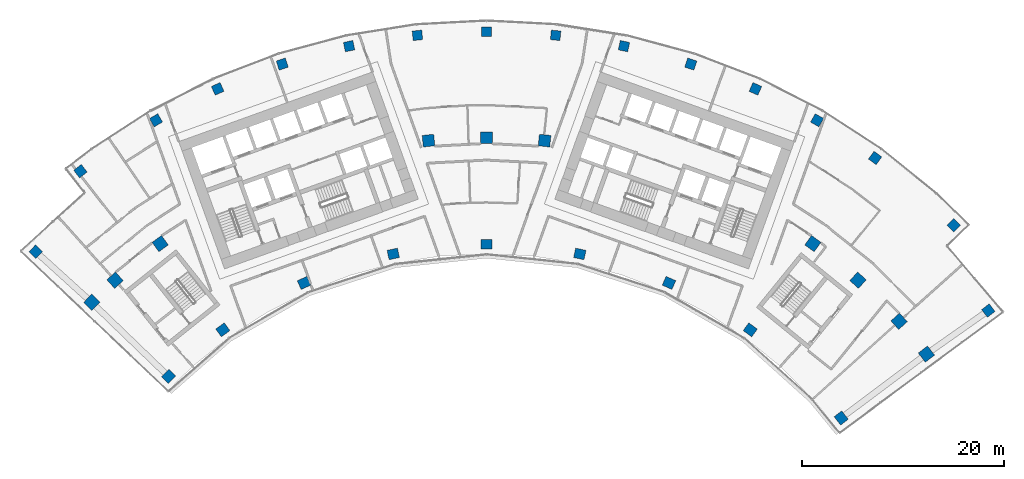
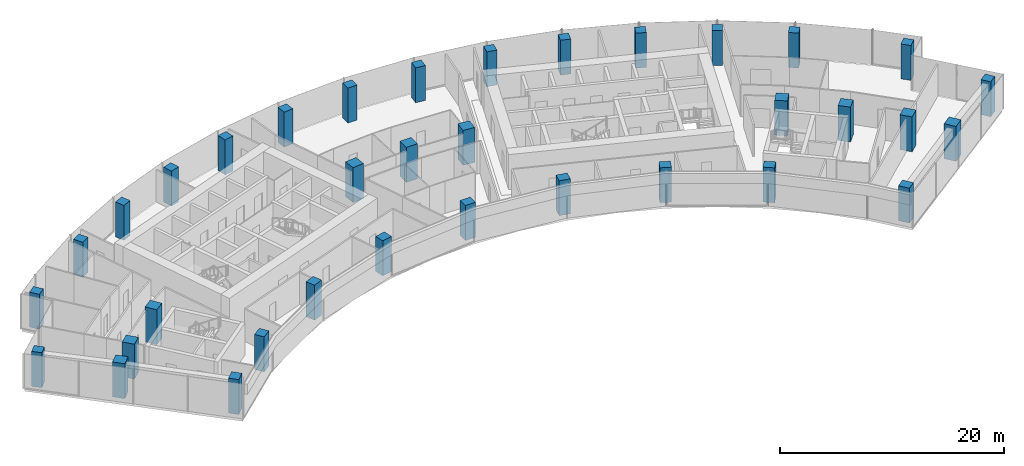
# One storey, part 1 of 19: 35 columns.
"""IFC4 building model written with IfcOpenShell, lengths in metres."""

import ifcopenshell
import ifcopenshell.guid

model = None  # the IFC model being written
_history = None  # IfcOwnerHistory: only IFC2X3 demands one
_inside = {}  # id of a spatial element -> (the spatial element, [elements in it])
_under = {}  # id of a project, library or spatial element -> (it, [spatial elements below it])
_declared = {}  # id of a project -> (the project, [libraries it declares])
_typed = {}  # id of a type object -> (the type object, [elements of that type])
_made_of = {}  # id of a material, layer set ... -> (it, [elements and type objects made of it])


def new_model(schema):
    """Start an empty IFC model of exactly this schema.

    Asked for "IFC4X3", IfcOpenShell would pick the latest addendum, in which some entities
    have other attributes; the version numbers below select the first issue.
    IFC2X3 requires an IfcOwnerHistory on every rooted entity: one is made here for all.
    """
    global model, _history
    if schema == "IFC4X3":
        model = ifcopenshell.file(schema_version=(4, 3, 0, 0))
    else:
        model = ifcopenshell.file(schema=schema)
    _inside.clear()
    _under.clear()
    _declared.clear()
    _typed.clear()
    _made_of.clear()
    _history = None
    if model.schema == "IFC2X3":
        org = make("IfcOrganization", Name="unknown")
        user = make(
            "IfcPersonAndOrganization",
            ThePerson=make("IfcPerson", FamilyName="unknown"),
            TheOrganization=org,
        )
        app = make(
            "IfcApplication",
            ApplicationDeveloper=org,
            Version="unknown",
            ApplicationFullName="unknown",
            ApplicationIdentifier="unknown",
        )
        _history = make(
            "IfcOwnerHistory",
            OwningUser=user,
            OwningApplication=app,
            ChangeAction="ADDED",
            CreationDate=0,
        )
    return model


def make(cls, **values):
    """One entity of the class cls with the attributes given. An attribute that is None is left unset."""
    return model.create_entity(
        cls, **{name: value for name, value in values.items() if value is not None}
    )


def rooted(cls, **values):
    """An entity with a GlobalId (a new one), such as an element, a storey or a relation."""
    return make(cls, GlobalId=ifcopenshell.guid.new(), OwnerHistory=_history, **values)


def si_unit(unit_type, name, prefix=None):
    """IfcSIUnit, for example si_unit("LENGTHUNIT", "METRE", prefix="MILLI")."""
    return make("IfcSIUnit", UnitType=unit_type, Prefix=prefix, Name=name)


def assignment(units):
    """IfcUnitAssignment: the units of a project."""
    return None if units is None else make("IfcUnitAssignment", Units=units)


def point(xyz):
    """IfcCartesianPoint."""
    return None if xyz is None else make("IfcCartesianPoint", Coordinates=xyz)


def direction(xyz):
    """IfcDirection."""
    return None if xyz is None else make("IfcDirection", DirectionRatios=xyz)


def frame(location, z_axis=None, x_axis=None):
    """IfcAxis2Placement3D, a coordinate frame: its origin and axes. An axis left out is left unset."""
    return make(
        "IfcAxis2Placement3D",
        Location=point(location),
        Axis=direction(z_axis),
        RefDirection=direction(x_axis),
    )


def frame_2d(location, x_axis=None):
    """IfcAxis2Placement2D, a coordinate frame in the plane: its origin and x axis."""
    return make(
        "IfcAxis2Placement2D", Location=point(location), RefDirection=direction(x_axis)
    )


def origin():
    """The frame at (0, 0, 0) with its axes left unset."""
    return frame((0.0, 0.0, 0.0))


def origin_2d():
    """The frame at (0, 0) in the plane with its x axis left unset."""
    return frame_2d((0.0, 0.0))


def place(relative_to, where):
    """IfcLocalPlacement: puts the frame where relative to a parent placement (None: the world)."""
    return make(
        "IfcLocalPlacement", PlacementRelTo=relative_to, RelativePlacement=where
    )


def context(
    kind, dimensions, precision=None, world=None, true_north=None, identifier=None
):
    """IfcGeometricRepresentationContext, for example the 3D "Model" context."""
    return make(
        "IfcGeometricRepresentationContext",
        ContextIdentifier=identifier,
        ContextType=kind,
        CoordinateSpaceDimension=dimensions,
        Precision=precision,
        WorldCoordinateSystem=world,
        TrueNorth=true_north,
    )


def subcontext(parent, identifier, kind, view, scale=None):
    """IfcGeometricRepresentationSubContext, for example "Body" below "Model"."""
    return make(
        "IfcGeometricRepresentationSubContext",
        ContextIdentifier=identifier,
        ContextType=kind,
        ParentContext=parent,
        TargetScale=scale,
        TargetView=view,
    )


def project(units=None, contexts=None):
    """IfcProject with its units and contexts."""
    return rooted(
        "IfcProject",
        Name="project",
        RepresentationContexts=contexts,
        UnitsInContext=assignment(units),
    )


def spatial(cls, under=None, at=None, **own):
    """A site, building, storey or space (cls), placed at a placement, below another one or the project."""
    s = rooted(cls, ObjectPlacement=at, **own)
    if under is not None:
        _under.setdefault(under.id(), (under, []))[1].append(s)
    return s


def profile(cls, at=None, kind="AREA", **sizes):
    """A parametric profile (cls). Its sizes go by their IFC names, for example OverallWidth=200.0."""
    return make(cls, ProfileType=kind, Position=at, **sizes)


def rectangle(**sizes):
    """IfcRectangleProfileDef."""
    return profile("IfcRectangleProfileDef", **sizes)


def extrude(swept, where, along, depth):
    """IfcExtrudedAreaSolid: the profile swept, set in the frame where, extruded along a direction by depth."""
    return make(
        "IfcExtrudedAreaSolid",
        SweptArea=swept,
        Position=where,
        ExtrudedDirection=direction(along),
        Depth=depth,
    )


def shape(context_of_items, identifier, shape_type, items):
    """IfcShapeRepresentation: the items that make up one representation, for example the "Body"."""
    return make(
        "IfcShapeRepresentation",
        ContextOfItems=context_of_items,
        RepresentationIdentifier=identifier,
        RepresentationType=shape_type,
        Items=items,
    )


def material(Name=None, Category=None):
    """IfcMaterial."""
    return make("IfcMaterial", Name=Name, Category=Category)


def material_profile(
    of_material, cross_section, Name=None, Category=None, Priority=None
):
    """IfcMaterialProfile: a cross section and its material."""
    return make(
        "IfcMaterialProfile",
        Name=Name,
        Material=of_material,
        Profile=cross_section,
        Priority=Priority,
        Category=Category,
    )


def profile_set(profiles, Name=None, composite=None):
    """IfcMaterialProfileSet."""
    return make(
        "IfcMaterialProfileSet",
        Name=Name,
        MaterialProfiles=profiles,
        CompositeProfile=composite,
    )


def made_of(thing, what):
    """Note that an element or type object is made of a material, layer set ...; save() writes the relation."""
    if what is not None:
        _made_of.setdefault(what.id(), (what, []))[1].append(thing)
    return thing


def type_object(cls, material=None, **own):
    """A type object (cls), such as IfcWallType, which elements share."""
    return made_of(rooted(cls, **own), material)


def element(
    cls,
    number,
    at=None,
    inside=None,
    cuts=None,
    type_object=None,
    material=None,
    context=None,
    identifier="Body",
    shape_type=None,
    held_by="IfcProductDefinitionShape",
    body=None,
    shapes=None,
    **own,
):
    """One element of the class cls, such as IfcWall. Its Tag is "e" and its number.

    at: its placement. inside: the storey or other place that contains it. cuts: it is an
    opening in that element (IfcRelVoidsElement). A single representation is given by context,
    identifier, shape_type and body (its items); several are given by shapes. held_by: the class
    of the entity that holds the representations. save() writes the other relations.
    """
    e = rooted(cls, Tag="e%d" % number, ObjectPlacement=at, **own)
    if body is not None:
        shapes = [shape(context, identifier, shape_type, body)]
    if shapes is not None:
        e.Representation = make(held_by, Representations=shapes)
    if inside is not None:
        _inside.setdefault(inside.id(), (inside, []))[1].append(e)
    if cuts is not None:
        rooted(
            "IfcRelVoidsElement", RelatingBuildingElement=cuts, RelatedOpeningElement=e
        )
    if type_object is not None:
        _typed.setdefault(type_object.id(), (type_object, []))[1].append(e)
    return made_of(e, material)


def aggregate(whole, parts):
    """IfcRelAggregates: a whole, such as a stair, and the parts it consists of."""
    return rooted("IfcRelAggregates", RelatingObject=whole, RelatedObjects=parts)


def save(model, path):
    """Write the relations noted so far, then the file.

    IfcRelAggregates (storeys below a building ...), IfcRelContainedInSpatialStructure (elements
    in a storey), IfcRelDefinesByType, IfcRelAssociatesMaterial and IfcRelDeclares: one each for
    every whole, place, type object, material and project.
    """
    for whole, parts in _under.values():
        aggregate(whole, parts)
    for where, things in _inside.values():
        rooted(
            "IfcRelContainedInSpatialStructure",
            RelatedElements=things,
            RelatingStructure=where,
        )
    for kind, things in _typed.values():
        rooted("IfcRelDefinesByType", RelatedObjects=things, RelatingType=kind)
    for what, things in _made_of.values():
        rooted("IfcRelAssociatesMaterial", RelatedObjects=things, RelatingMaterial=what)
    for by, libraries in _declared.values():
        rooted("IfcRelDeclares", RelatingContext=by, RelatedDefinitions=libraries)
    model.write(path)


model = new_model("IFC4")

# Units and contexts
model_context = context("Model", 3, precision=1e-05, world=origin(), true_north=direction((0.0, 1.0)))
body_context = subcontext(model_context, "Body", "Model", "MODEL_VIEW")
ifc_project = project(units=[si_unit("LENGTHUNIT", "METRE"), si_unit("AREAUNIT", "SQUARE_METRE"), si_unit("VOLUMEUNIT", "CUBIC_METRE"), si_unit("PLANEANGLEUNIT", "RADIAN"), si_unit("MASSUNIT", "GRAM", prefix="KILO")], contexts=[model_context])

# Site, building, storey
site_placement = place(None, origin())
site = spatial("IfcSite", under=ifc_project, at=site_placement, CompositionType="ELEMENT")
building_placement = place(site_placement, origin())
building = spatial("IfcBuilding", under=site, at=building_placement, Name="Stone Belt Terrace Tower", CompositionType="ELEMENT")
storey_placement = place(building_placement, frame((0.0, 0.0, 204.800048828125)))
storey = spatial("IfcBuildingStorey", under=building, at=storey_placement, Name="L49", CompositionType="ELEMENT", Elevation=204.800048828125)

# Columns
ifc_material = material(Name="Concrete B60", Category="concrete")
ifc_material_profile_1 = material_profile(ifc_material, rectangle(XDim=1.050048828125, YDim=0.949951171875, at=origin_2d()), Name="RC 1050x950")
ifc_profile_set_1 = profile_set([ifc_material_profile_1], Name="Concrete B60")
column_type_1 = type_object("IfcColumnType", Name="Column RC 1050x950 B60", PredefinedType="COLUMN", material=ifc_profile_set_1)
for number, where, z_axis, x_axis, name in (
    (1, (-31.5078125, 31.3466796875, 0.0), (0.0, 0.0, 1.0), (0.705293990601, 0.708914936239, 0.0), "Column L49 PA"),
    (2, (-26.1240234375, 35.956787109375, 0.0), (0.0, 0.0, 1.0), (0.809016994375, 0.587785252292, 0.0), "Column L49 P16"),
    (3, (-18.077392578125, 40.6025390625, 0.0), (0.0, 0.0, 1.0), (0.913545457643, 0.406736643076, 0.0), "Column L49 P18"),
    (4, (-9.240478515625, 43.473876953125, 0.0), (0.0, 0.0, 1.0), (0.978147600734, 0.207911690818, 0.0), "Column L49 P20"),
    (5, (0.0, 44.445068359375, 0.0), (0.0, 0.0, 1.0), (1.0, 0.0, 0.0), "Column L49 P22"),
    (6, (9.240478515625, 43.473876953125, 0.0), (0.0, 0.0, 1.0), (0.978147600734, -0.207911690818, 0.0), "Column L49 P24"),
    (7, (18.077392578125, 40.6025390625, 0.0), (0.0, 0.0, 1.0), (0.913545457643, -0.406736643076, 0.0), "Column L49 P26"),
    (8, (26.1240234375, 35.956787109375, 0.0), (0.0, 0.0, 1.0), (0.809016994375, -0.587785252292, 0.0), "Column L49 P28"),
    (9, (35.133056640625, 27.221923828125, 0.0), (0.0, 0.0, 1.0), (0.612484967582, -0.790482235402, 0.0), "Column L49 PB"),
):
    element("IfcColumn", number, at=place(storey_placement, frame(where, z_axis=z_axis, x_axis=x_axis)), inside=storey, type_object=column_type_1, Name=name, PredefinedType="COLUMN", context=body_context, shape_type="SweptSolid", body=[
        extrude(rectangle(XDim=1.050048828125, YDim=0.949951171875, at=origin_2d()), origin(), (0.0, 0.0, 1.0), 3.800048828125),
    ])
ifc_material_profile_2 = material_profile(ifc_material, rectangle(XDim=1.14990234375, YDim=1.14990234375, at=origin_2d()), Name="RC 1150x1150")
ifc_profile_set_2 = profile_set([ifc_material_profile_2], Name="Concrete B60")
column_type_2 = type_object("IfcColumnType", Name="Column RC 1150x1150 B60", PredefinedType="COLUMN", material=ifc_profile_set_2)
for number, where, z_axis, x_axis, name in (
    (10, (-39.108154296875, 38.67236328125, 0.0), (0.0, 0.0, 1.0), (0.703134133957, 0.711057233748, 0.0), "Column L49 QA"),
    (11, (-36.80224609375, 40.873046875, 0.0), (0.0, 0.0, 1.0), (0.743144825477, 0.669130606359, 0.0), "Column L49 Q15"),
    (12, (-32.328125, 44.495849609375, 0.0), (0.0, 0.0, 1.0), (0.809016994375, 0.587785252292, 0.0), "Column L49 Q16"),
    (13, (-5.7490234375, 54.69873046875, 0.0), (0.0, 0.0, 1.0), (0.994521895368, 0.104528463268, 0.0), "Column L49 Q21"),
    (14, (0.0, 55.0, 0.0), (0.0, 0.0, 1.0), (1.0, 0.0, 0.0), "Column L49 Q22"),
    (15, (5.7490234375, 54.69873046875, 0.0), (0.0, 0.0, 1.0), (0.994521895368, -0.104528463268, 0.0), "Column L49 Q23"),
    (16, (32.328125, 44.495849609375, 0.0), (0.0, 0.0, 1.0), (0.809016994375, -0.587785252292, 0.0), "Column L49 Q28"),
    (17, (36.80224609375, 40.873046875, 0.0), (0.0, 0.0, 1.0), (0.743144825477, -0.669130606359, 0.0), "Column L49 Q29"),
    (18, (40.873046875, 36.80224609375, 0.0), (0.0, 0.0, 1.0), (0.669130606359, -0.743144825477, 0.0), "Column L49 Q30"),
    (19, (43.57861328125, 33.55419921875, 0.0), (0.0, 0.0, 1.0), (0.610078787058, -0.792340755977, 0.0), "Column L49 QB"),
):
    element("IfcColumn", number, at=place(storey_placement, frame(where, z_axis=z_axis, x_axis=x_axis)), inside=storey, type_object=column_type_2, Name=name, PredefinedType="COLUMN", context=body_context, shape_type="SweptSolid", body=[
        extrude(rectangle(XDim=1.14990234375, YDim=1.14990234375, at=origin_2d()), origin(), (0.0, 0.0, 1.0), 3.800048828125),
    ])
ifc_material_profile_3 = material_profile(ifc_material, rectangle(XDim=0.949951171875, YDim=0.949951171875, at=origin_2d()), Name="RC 950x950")
ifc_profile_set_3 = profile_set([ifc_material_profile_3], Name="Concrete B60")
column_type_3 = type_object("IfcColumnType", Name="Column RC 950x950 B60", PredefinedType="COLUMN", material=ifc_profile_set_3)
for number, where, z_axis, x_axis, name in (
    (20, (-44.660400390625, 43.70703125, 0.0), (0.0, 0.0, 1.0), (0.699437600403, 0.714693670842, 0.0), "Column L49 RA"),
    (21, (49.70947265625, 37.86572265625, 0.0), (0.0, 0.0, 1.0), (0.605960632634, -0.795494633356, 0.0), "Column L49 RB"),
    (22, (-40.231201171875, 51.674560546875, 0.0), (0.0, 0.0, 1.0), (0.789057280835, 0.614319629803, 0.0), "Column L49 RNA"),
    (23, (-32.744384765625, 56.715087890625, 0.0), (0.0, 0.0, 1.0), (0.866025403784, 0.5, 0.0), "Column L49 R17"),
    (24, (-26.63671875, 59.8271484375, 0.0), (0.0, 0.0, 1.0), (0.913545457643, 0.406736643076, 0.0), "Column L49 R18"),
    (25, (-20.2373046875, 62.28369140625, 0.0), (0.0, 0.0, 1.0), (0.951056516295, 0.309016994375, 0.0), "Column L49 R19"),
    (26, (-13.615966796875, 64.057861328125, 0.0), (0.0, 0.0, 1.0), (0.978147600734, 0.207911690818, 0.0), "Column L49 R20"),
    (27, (-6.845458984375, 65.130126953125, 0.0), (0.0, 0.0, 1.0), (0.994521895368, 0.104528463268, 0.0), "Column L49 R21"),
    (28, (0.0, 65.489013671875, 0.0), (0.0, 0.0, 1.0), (1.0, 0.0, 0.0), "Column L49 R22"),
    (29, (6.845458984375, 65.130126953125, 0.0), (0.0, 0.0, 1.0), (0.994521895368, -0.104528463268, 0.0), "Column L49 R23"),
    (30, (13.615966796875, 64.057861328125, 0.0), (0.0, 0.0, 1.0), (0.978147600734, -0.207911690818, 0.0), "Column L49 R24"),
    (31, (20.2373046875, 62.28369140625, 0.0), (0.0, 0.0, 1.0), (0.951056516295, -0.309016994375, 0.0), "Column L49 R25"),
    (32, (26.63671875, 59.8271484375, 0.0), (0.0, 0.0, 1.0), (0.913545457643, -0.406736643076, 0.0), "Column L49 R26"),
    (33, (32.744384765625, 56.715087890625, 0.0), (0.0, 0.0, 1.0), (0.866025403784, -0.5, 0.0), "Column L49 R27"),
    (34, (38.493408203125, 52.981689453125, 0.0), (0.0, 0.0, 1.0), (0.809016994375, -0.587785252292, 0.0), "Column L49 R28"),
    (35, (46.29638671875, 46.318603515625, 0.0), (0.0, 0.0, 1.0), (0.707275837349, -0.706937684596, 0.0), "Column L49 RNB"),
):
    element("IfcColumn", number, at=place(storey_placement, frame(where, z_axis=z_axis, x_axis=x_axis)), inside=storey, type_object=column_type_3, Name=name, PredefinedType="COLUMN", context=body_context, shape_type="SweptSolid", body=[
        extrude(rectangle(XDim=0.949951171875, YDim=0.949951171875, at=origin_2d()), origin(), (0.0, 0.0, 1.0), 3.800048828125),
    ])

save(model, "model.ifc")
